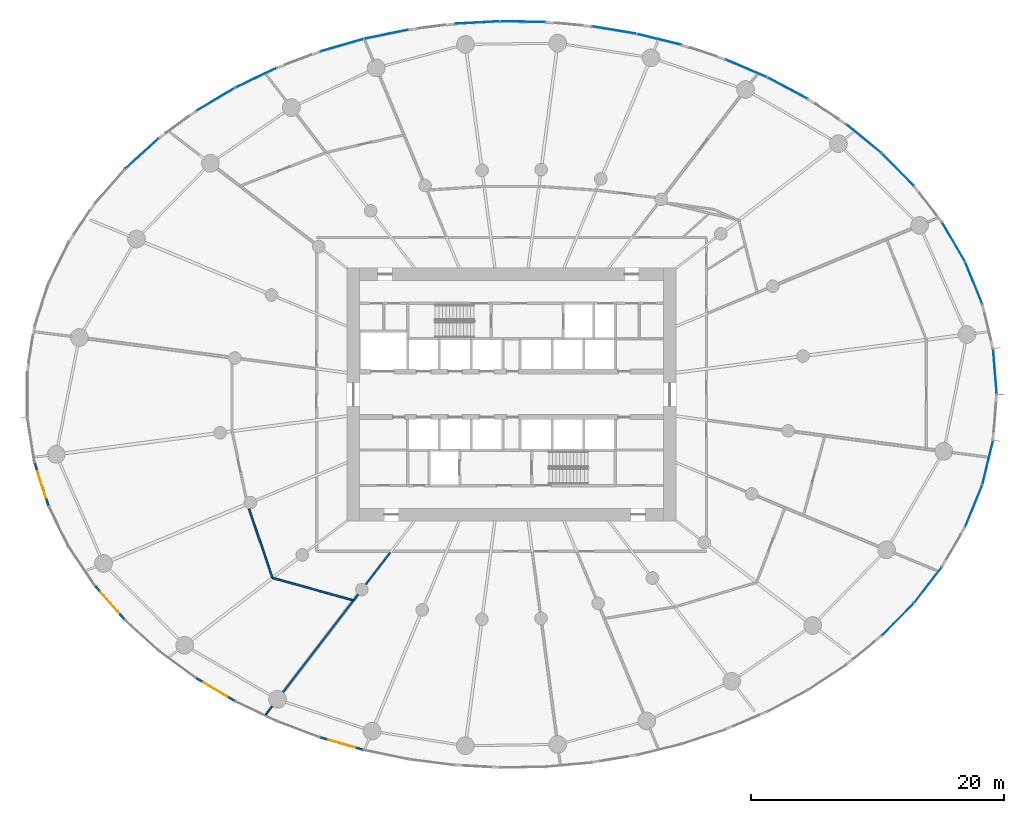
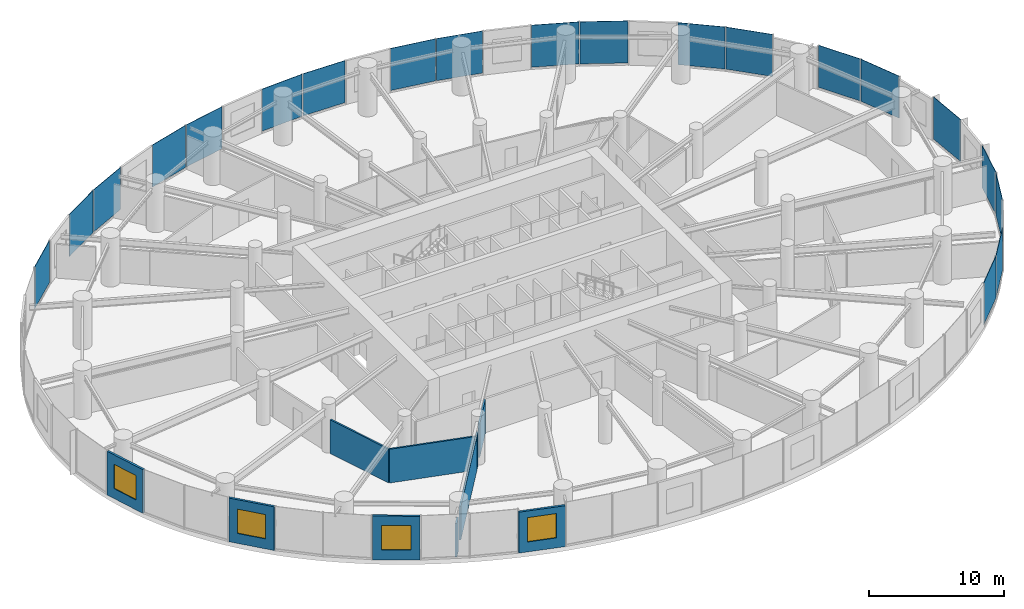
# One storey, part 10 of 19: 20 plates, 10 walls, 4 windows, 4 openings, 6 elements without a shape of their own.
"""IFC4 building model written with IfcOpenShell, lengths in metres."""

from ifc_helpers import new_model, si_unit, direction, frame, frame_2d, origin, origin_2d, place, context, subcontext, project, spatial, rectangle, extrude, source, transform, mapped, material, layer, layer_set, type_object, element, fill, aggregate, save


model = new_model("IFC4")

# Units and contexts
model_context = context("Model", 3, precision=1e-05, world=origin(), true_north=direction((0.0, 1.0)))
body_context = subcontext(model_context, "Body", "Model", "MODEL_VIEW")
ifc_project = project(units=[si_unit("LENGTHUNIT", "METRE"), si_unit("AREAUNIT", "SQUARE_METRE"), si_unit("VOLUMEUNIT", "CUBIC_METRE"), si_unit("PLANEANGLEUNIT", "RADIAN"), si_unit("MASSUNIT", "GRAM", prefix="KILO")], contexts=[model_context])

# Site, building, storey
site_placement = place(None, origin())
site = spatial("IfcSite", under=ifc_project, at=site_placement, CompositionType="ELEMENT")
building_placement = place(site_placement, origin())
building = spatial("IfcBuilding", under=site, at=building_placement, Name="Spindrift Exchange Tower", CompositionType="ELEMENT")
storey_placement = place(building_placement, frame((0.0, 0.0, 22.60009765625)))
storey = spatial("IfcBuildingStorey", under=building, at=storey_placement, Name="L05", CompositionType="ELEMENT", Elevation=22.60009765625)

# Curtain wall, plate
ifc_material_1 = material(Name="Fritted laminated glass with bronze frame", Category="glass")
ifc_layer_1 = layer(ifc_material_1, 0.199951171875)
ifc_layer_set_1 = layer_set([ifc_layer_1], Name="ZONE 1 BRONZE FRITTED WALL")
curtain_wall_type = type_object("IfcCurtainWallType", Name="ZONE 1 BRONZE FRITTED WALL", PredefinedType="NOTDEFINED", material=ifc_layer_set_1)
curtain_wall_1_placement = place(storey_placement, origin())
curtain_wall_1 = element("IfcCurtainWall", 1, at=curtain_wall_1_placement, inside=storey, type_object=curtain_wall_type, Name="L05 Zone 1 Bronze Fritted Wall run 1", PredefinedType="NOTDEFINED")
ifc_material_2 = material(Name="Bronze tinted laminated glass, light frit", Category="glass")
ifc_layer_2 = layer(ifc_material_2, 0.035888671875)
ifc_layer_set_2 = layer_set([ifc_layer_2], Name="ZONE 1 BRONZE FRITTED WALL PANEL LIGHT FRIT 1200")
plate_type_1 = type_object("IfcPlateType", Name="ZONE 1 BRONZE FRITTED WALL PANEL LIGHT FRIT 1200", PredefinedType="CURTAIN_PANEL", material=ifc_layer_set_2)
shared_shape_1 = source(origin(), body_context, "Body", "SweptSolid", [
    extrude(rectangle(XDim=3.54443359375, YDim=0.035888671875, at=origin_2d()), origin(), (0.0, 0.0, 1.0), 3.800048828125),
])
plate_1_placement = place(storey_placement, frame((90.20556640625, 49.806396484375, 0.14990234375), z_axis=(0.0, 0.0, 1.0), x_axis=(-0.079654383993, 0.996822541434, 0.0)))
plate_1 = element("IfcPlate", 2, at=plate_1_placement, type_object=plate_type_1, Name="L05 panel CW-1.1", PredefinedType="CURTAIN_PANEL", context=body_context, shape_type="MappedRepresentation", body=[
    mapped(shared_shape_1, transform((0.0, 0.0, 0.0), scale=1.0)),
])

curtain_wall_2_placement = place(storey_placement, origin())
curtain_wall_2 = element("IfcCurtainWall", 3, at=curtain_wall_2_placement, inside=storey, type_object=curtain_wall_type, Name="L05 Zone 1 Bronze Fritted Wall run 10", PredefinedType="NOTDEFINED")
plate_2_placement = place(storey_placement, frame((89.63623046875, 42.62548828125, 0.14990234375), z_axis=(0.0, 0.0, 1.0), x_axis=(0.234594141162, 0.972093405457, 0.0)))
plate_2 = element("IfcPlate", 4, at=plate_2_placement, type_object=plate_type_1, Name="L05 panel CW-1.58", PredefinedType="CURTAIN_PANEL", context=body_context, shape_type="MappedRepresentation", body=[
    mapped(shared_shape_1, transform((0.0, 0.0, 0.0), scale=1.0)),
])

# Plate
ifc_layer_3 = layer(ifc_material_2, 0.035888671875)
ifc_layer_set_3 = layer_set([ifc_layer_3], Name="ZONE 1 BRONZE FRITTED WALL PANEL LIGHT FRIT 720")
plate_type_2 = type_object("IfcPlateType", Name="ZONE 1 BRONZE FRITTED WALL PANEL LIGHT FRIT 720", PredefinedType="CURTAIN_PANEL", material=ifc_layer_set_3)
shared_shape_2 = source(origin(), body_context, "Body", "SweptSolid", [
    extrude(rectangle(XDim=3.544921875, YDim=0.035888671875, at=origin_2d()), origin(), (0.0, 0.0, 1.0), 3.800048828125),
])
plate_3_placement = place(storey_placement, frame((88.526611328125, 56.814697265625, 0.14990234375), z_axis=(0.0, 0.0, 1.0), x_axis=(-0.377650096823, 0.92594838105, 0.0)))
plate_3 = element("IfcPlate", 5, at=plate_3_placement, type_object=plate_type_2, Name="L05 panel CW-1.3", PredefinedType="CURTAIN_PANEL", context=body_context, shape_type="MappedRepresentation", body=[
    mapped(shared_shape_2, transform((0.0, 0.0, 0.0), scale=1.0)),
])

ifc_layer_4 = layer(ifc_material_2, 0.035888671875)
ifc_layer_set_4 = layer_set([ifc_layer_4], Name="ZONE 1 BRONZE FRITTED WALL PANEL LIGHT FRIT 960")
plate_type_3 = type_object("IfcPlateType", Name="ZONE 1 BRONZE FRITTED WALL PANEL LIGHT FRIT 960", PredefinedType="CURTAIN_PANEL", material=ifc_layer_set_4)
shared_shape_3 = source(origin(), body_context, "Body", "SweptSolid", [
    extrude(rectangle(XDim=3.54541015625, YDim=0.035888671875, at=origin_2d()), origin(), (0.0, 0.0, 1.0), 3.800048828125),
])
plate_4_placement = place(storey_placement, frame((86.928466796875, 60.05859375, 0.14990234375), z_axis=(0.0, 0.0, 1.0), x_axis=(-0.503942827286, 0.863737012538, 0.0)))
plate_4 = element("IfcPlate", 6, at=plate_4_placement, type_object=plate_type_3, Name="L05 panel CW-1.4", PredefinedType="CURTAIN_PANEL", context=body_context, shape_type="MappedRepresentation", body=[
    mapped(shared_shape_3, transform((0.0, 0.0, 0.0), scale=1.0)),
])

shared_shape_4 = source(origin(), body_context, "Body", "SweptSolid", [
    extrude(rectangle(XDim=3.546142578125, YDim=0.035888671875, at=origin_2d()), origin(), (0.0, 0.0, 1.0), 3.800048828125),
])
plate_5_placement = place(storey_placement, frame((82.524658203125, 65.784423828125, 0.14990234375), z_axis=(0.0, 0.0, 1.0), x_axis=(-0.701611023881, 0.712560152667, 0.0)))
plate_5 = element("IfcPlate", 7, at=plate_5_placement, type_object=plate_type_3, Name="L05 panel CW-1.6", PredefinedType="CURTAIN_PANEL", context=body_context, shape_type="MappedRepresentation", body=[
    mapped(shared_shape_4, transform((0.0, 0.0, 0.0), scale=1.0)),
])

aggregate(curtain_wall_1, [plate_1, plate_3, plate_4, plate_5])

# Curtain wall, plate
curtain_wall_3_placement = place(storey_placement, origin())
curtain_wall_3 = element("IfcCurtainWall", 8, at=curtain_wall_3_placement, inside=storey, type_object=curtain_wall_type, Name="L05 Zone 1 Bronze Fritted Wall run 9", PredefinedType="NOTDEFINED")
plate_6_placement = place(storey_placement, frame((82.524658203125, 30.215576171875, 0.14990234375), z_axis=(0.0, 0.0, 1.0), x_axis=(0.701611023881, 0.712560152667, 0.0)))
plate_6 = element("IfcPlate", 9, at=plate_6_placement, type_object=plate_type_3, Name="L05 panel CW-1.54", PredefinedType="CURTAIN_PANEL", context=body_context, shape_type="MappedRepresentation", body=[
    mapped(shared_shape_4, transform((0.0, 0.0, 0.0), scale=1.0)),
])
aggregate(curtain_wall_3, [plate_6])

# Curtain wall, plates
curtain_wall_4_placement = place(storey_placement, origin())
curtain_wall_4 = element("IfcCurtainWall", 10, at=curtain_wall_4_placement, inside=storey, type_object=curtain_wall_type, Name="L05 Zone 1 Bronze Fritted Wall run 2", PredefinedType="NOTDEFINED")
shared_shape_5 = source(origin(), body_context, "Body", "SweptSolid", [
    extrude(rectangle(XDim=3.54638671875, YDim=0.035888671875, at=origin_2d()), origin(), (0.0, 0.0, 1.0), 3.800048828125),
])
plate_7_placement = place(storey_placement, frame((79.846923828125, 68.2216796875, 0.14990234375), z_axis=(0.0, 0.0, 1.0), x_axis=(-0.775231214705, 0.631677578949, 0.0)))
plate_7 = element("IfcPlate", 11, at=plate_7_placement, type_object=plate_type_2, Name="L05 panel CW-1.7", PredefinedType="CURTAIN_PANEL", context=body_context, shape_type="MappedRepresentation", body=[
    mapped(shared_shape_5, transform((0.0, 0.0, 0.0), scale=1.0)),
])
shared_shape_6 = source(origin(), body_context, "Body", "SweptSolid", [
    extrude(rectangle(XDim=3.546875, YDim=0.035888671875, at=origin_2d()), origin(), (0.0, 0.0, 1.0), 3.800048828125),
])
plate_8_placement = place(storey_placement, frame((73.813232421875, 72.216796875, 0.14990234375), z_axis=(0.0, 0.0, 1.0), x_axis=(-0.88248339165, 0.470343558967, 0.0)))
plate_8 = element("IfcPlate", 12, at=plate_8_placement, type_object=plate_type_3, Name="L05 panel CW-1.9", PredefinedType="CURTAIN_PANEL", context=body_context, shape_type="MappedRepresentation", body=[
    mapped(shared_shape_6, transform((0.0, 0.0, 0.0), scale=1.0)),
])
shared_shape_7 = source(origin(), body_context, "Body", "SweptSolid", [
    extrude(rectangle(XDim=3.547119140625, YDim=0.035888671875, at=origin_2d()), origin(), (0.0, 0.0, 1.0), 3.800048828125),
])
plate_9_placement = place(storey_placement, frame((70.544189453125, 73.780029296875, 0.14990234375), z_axis=(0.0, 0.0, 1.0), x_axis=(-0.920121835815, 0.3916322347, 0.0)))
plate_9 = element("IfcPlate", 13, at=plate_9_placement, type_object=plate_type_2, Name="L05 panel CW-1.10", PredefinedType="CURTAIN_PANEL", context=body_context, shape_type="MappedRepresentation", body=[
    mapped(shared_shape_7, transform((0.0, 0.0, 0.0), scale=1.0)),
])

# Curtain wall, plate
curtain_wall_5_placement = place(storey_placement, origin())
curtain_wall_5 = element("IfcCurtainWall", 14, at=curtain_wall_5_placement, inside=storey, type_object=curtain_wall_type, Name="L05 Zone 1 Bronze Fritted Wall run 4", PredefinedType="NOTDEFINED")
plate_10_placement = place(storey_placement, frame((31.80419921875, 73.0341796875, 0.14990234375), z_axis=(0.0, 0.0, 1.0), x_axis=(-0.902455253843, -0.43078360555, 0.0)))
plate_10 = element("IfcPlate", 15, at=plate_10_placement, type_object=plate_type_2, Name="L05 panel CW-1.21", PredefinedType="CURTAIN_PANEL", context=body_context, shape_type="MappedRepresentation", body=[
    mapped(shared_shape_7, transform((0.0, 0.0, 0.0), scale=1.0)),
])

# Plate
shared_shape_8 = source(origin(), body_context, "Body", "SweptSolid", [
    extrude(rectangle(XDim=3.54736328125, YDim=0.035888671875, at=origin_2d()), origin(), (0.0, 0.0, 1.0), 3.800048828125),
])
plate_11_placement = place(storey_placement, frame((63.671142578125, 76.064697265625, 0.14990234375), z_axis=(0.0, 0.0, 1.0), x_axis=(-0.971034278054, 0.238940224416, 0.0)))
plate_11 = element("IfcPlate", 16, at=plate_11_placement, type_object=plate_type_3, Name="L05 panel CW-1.12", PredefinedType="CURTAIN_PANEL", context=body_context, shape_type="MappedRepresentation", body=[
    mapped(shared_shape_8, transform((0.0, 0.0, 0.0), scale=1.0)),
])

aggregate(curtain_wall_4, [plate_7, plate_8, plate_9, plate_11])

# Curtain wall, plates
curtain_wall_6_placement = place(storey_placement, origin())
curtain_wall_6 = element("IfcCurtainWall", 17, at=curtain_wall_6_placement, inside=storey, type_object=curtain_wall_type, Name="L05 Zone 1 Bronze Fritted Wall run 3", PredefinedType="NOTDEFINED")
shared_shape_9 = source(origin(), body_context, "Body", "SweptSolid", [
    extrude(rectangle(XDim=3.54736328125, YDim=0.035888671875, at=origin_2d()), origin(), (0.0, 0.0, 1.0), 3.800048828125),
])
plate_12_placement = place(storey_placement, frame((60.12109375, 76.79638671875, 0.14990234375), z_axis=(0.0, 0.0, 1.0), x_axis=(-0.98635895977, 0.164608634286, 0.0)))
plate_12 = element("IfcPlate", 18, at=plate_12_placement, type_object=plate_type_1, Name="L05 panel CW-1.13", PredefinedType="CURTAIN_PANEL", context=body_context, shape_type="MappedRepresentation", body=[
    mapped(shared_shape_9, transform((0.0, 0.0, 0.0), scale=1.0)),
])
plate_13_placement = place(storey_placement, frame((52.906494140625, 77.458740234375, 0.14990234375), z_axis=(0.0, 0.0, 1.0), x_axis=(-0.999834474509, 0.018194053526, 0.0)))
plate_13 = element("IfcPlate", 19, at=plate_13_placement, type_object=plate_type_1, Name="L05 panel CW-1.15", PredefinedType="CURTAIN_PANEL", context=body_context, shape_type="MappedRepresentation", body=[
    mapped(shared_shape_9, transform((0.0, 0.0, 0.0), scale=1.0)),
])
plate_14_placement = place(storey_placement, frame((49.281982421875, 77.392578125, 0.14990234375), z_axis=(0.0, 0.0, 1.0), x_axis=(-0.998507646008, -0.054612094476, 0.0)))
plate_14 = element("IfcPlate", 20, at=plate_14_placement, type_object=plate_type_1, Name="L05 panel CW-1.16", PredefinedType="CURTAIN_PANEL", context=body_context, shape_type="MappedRepresentation", body=[
    mapped(shared_shape_9, transform((0.0, 0.0, 0.0), scale=1.0)),
])
plate_15_placement = place(storey_placement, frame((42.096923828125, 76.46435546875, 0.14990234375), z_axis=(0.0, 0.0, 1.0), x_axis=(-0.979461386098, -0.20163182572, 0.0)))
plate_15 = element("IfcPlate", 21, at=plate_15_placement, type_object=plate_type_1, Name="L05 panel CW-1.18", PredefinedType="CURTAIN_PANEL", context=body_context, shape_type="MappedRepresentation", body=[
    mapped(shared_shape_9, transform((0.0, 0.0, 0.0), scale=1.0)),
])
aggregate(curtain_wall_6, [plate_12, plate_13, plate_14, plate_15])

# Plate
plate_16_placement = place(storey_placement, frame((38.57763671875, 75.596923828125, 0.14990234375), z_axis=(0.0, 0.0, 1.0), x_axis=(-0.961001004302, -0.276544878332, 0.0)))
plate_16 = element("IfcPlate", 22, at=plate_16_placement, type_object=plate_type_1, Name="L05 panel CW-1.19", PredefinedType="CURTAIN_PANEL", context=body_context, shape_type="MappedRepresentation", body=[
    mapped(shared_shape_9, transform((0.0, 0.0, 0.0), scale=1.0)),
])

shared_shape_10 = source(origin(), body_context, "Body", "SweptSolid", [
    extrude(rectangle(XDim=3.546875, YDim=0.035888671875, at=origin_2d()), origin(), (0.0, 0.0, 1.0), 3.800048828125),
])
plate_17_placement = place(storey_placement, frame((28.60791015625, 71.32763671875, 0.14990234375), z_axis=(0.0, 0.0, 1.0), x_axis=(-0.859995699192, -0.510301280982, 0.0)))
plate_17 = element("IfcPlate", 23, at=plate_17_placement, type_object=plate_type_1, Name="L05 panel CW-1.22", PredefinedType="CURTAIN_PANEL", context=body_context, shape_type="MappedRepresentation", body=[
    mapped(shared_shape_10, transform((0.0, 0.0, 0.0), scale=1.0)),
])

shared_shape_11 = source(origin(), body_context, "Body", "SweptSolid", [
    extrude(rectangle(XDim=3.54638671875, YDim=0.035888671875, at=origin_2d()), origin(), (0.0, 0.0, 1.0), 3.800048828125),
])
plate_18_placement = place(storey_placement, frame((22.78076171875, 67.039794921875, 0.14990234375), z_axis=(0.0, 0.0, 1.0), x_axis=(-0.740315520341, -0.672259570659, 0.0)))
plate_18 = element("IfcPlate", 24, at=plate_18_placement, type_object=plate_type_1, Name="L05 panel CW-1.24", PredefinedType="CURTAIN_PANEL", context=body_context, shape_type="MappedRepresentation", body=[
    mapped(shared_shape_11, transform((0.0, 0.0, 0.0), scale=1.0)),
])

aggregate(curtain_wall_5, [plate_16, plate_10, plate_17, plate_18])

shared_shape_12 = source(origin(), body_context, "Body", "SweptSolid", [
    extrude(rectangle(XDim=3.5458984375, YDim=0.035888671875, at=origin_2d()), origin(), (0.0, 0.0, 1.0), 3.800048828125),
])
plate_19_placement = place(storey_placement, frame((84.906005859375, 32.941650390625, 0.14990234375), z_axis=(0.0, 0.0, 1.0), x_axis=(0.611768677134, 0.791036715759, 0.0)))
plate_19 = element("IfcPlate", 25, at=plate_19_placement, type_object=plate_type_1, Name="L05 panel CW-1.55", PredefinedType="CURTAIN_PANEL", context=body_context, shape_type="MappedRepresentation", body=[
    mapped(shared_shape_12, transform((0.0, 0.0, 0.0), scale=1.0)),
])

shared_shape_13 = source(origin(), body_context, "Body", "SweptSolid", [
    extrude(rectangle(XDim=3.544921875, YDim=0.035888671875, at=origin_2d()), origin(), (0.0, 0.0, 1.0), 3.800048828125),
])
plate_20_placement = place(storey_placement, frame((88.526611328125, 39.185302734375, 0.14990234375), z_axis=(0.0, 0.0, 1.0), x_axis=(0.377650096823, 0.92594838105, 0.0)))
plate_20 = element("IfcPlate", 26, at=plate_20_placement, type_object=plate_type_3, Name="L05 panel CW-1.57", PredefinedType="CURTAIN_PANEL", context=body_context, shape_type="MappedRepresentation", body=[
    mapped(shared_shape_13, transform((0.0, 0.0, 0.0), scale=1.0)),
])

aggregate(curtain_wall_2, [plate_19, plate_20, plate_2])

# Wall, opening, window
ifc_material_3 = material(Name="Bronze anodised aluminium frame with fritted laminated glass spandrel", Category="aluminium")
ifc_layer_5 = layer(ifc_material_3, 0.179931640625)
ifc_layer_set_5 = layer_set([ifc_layer_5], Name="UNITISED FRAME WALL")
wall_type_1 = type_object("IfcWallType", Name="UNITISED FRAME WALL", PredefinedType="STANDARD", material=ifc_layer_set_5)
wall_1_placement = place(storey_placement, frame((14.30810546875, 42.57080078125, 0.0), z_axis=(0.0, 0.0, 1.0), x_axis=(0.308012829469, -0.951382203367, 0.0)))
wall_1 = element("IfcWall", 27, at=wall_1_placement, inside=storey, type_object=wall_type_1, Name="L05 Frame Wall 32", PredefinedType="STANDARD", context=body_context, shape_type="SweptSolid", body=[
    extrude(rectangle(XDim=3.544677734375, YDim=0.179931640625, at=frame_2d((1.7724609375, 0.0))), origin(), (0.0, 0.0, 1.0), 3.949951171875),
])
opening_1_placement = place(wall_1_placement, frame((0.67236328125, 0.0, 0.89990234375)))
opening_1 = element("IfcOpeningElement", 28, at=opening_1_placement, cuts=wall_1, Name="Opening WV05-11", PredefinedType="OPENING", context=body_context, shape_type="SweptSolid", body=[
    extrude(rectangle(XDim=2.199951171875, YDim=2.199951171875, at=frame_2d((1.10009765625, 1.10009765625))), frame((0.0, 0.099853515625, 0.0), z_axis=(0.0, -1.0, 0.0), x_axis=(1.0, 0.0, 0.0)), (0.0, 0.0, 1.0), 0.199951171875),
])
ifc_material_4 = material(Name="Clear laminated low-iron glass in bronze frame", Category="glass")
window_type = type_object("IfcWindowType", Name="OPERABLE CLEAR VENT 2200X2200", PartitioningType="SINGLE_PANEL", PredefinedType="WINDOW", material=ifc_material_4)
shared_shape_14 = source(origin(), body_context, "Body", "SweptSolid", [
    extrude(rectangle(XDim=2.199951171875, YDim=2.199951171875, at=frame_2d((1.10009765625, 1.10009765625))), frame((0.0, 0.030029296875, 0.0), z_axis=(0.0, -1.0, 0.0), x_axis=(1.0, 0.0, 0.0)), (0.0, 0.0, 1.0), 0.06005859375),
])
window_1_placement = place(opening_1_placement, origin())
window_1 = element("IfcWindow", 29, at=window_1_placement, inside=storey, type_object=window_type, Name="L05 Operable Vent WV05-11", OverallHeight=2.199951171875, OverallWidth=2.199951171875, PartitioningType="SINGLE_PANEL", PredefinedType="WINDOW", context=body_context, shape_type="MappedRepresentation", body=[
    mapped(shared_shape_14, transform((0.0, 0.0, 0.0), scale=1.0)),
])
fill(opening_1, window_1)

wall_2_placement = place(storey_placement, frame((19.07568359375, 32.876953125, 0.0), z_axis=(0.0, 0.0, 1.0), x_axis=(0.658850593066, -0.752273817182, 0.0)))
wall_2 = element("IfcWall", 30, at=wall_2_placement, inside=storey, type_object=wall_type_1, Name="L05 Frame Wall 35", PredefinedType="STANDARD", context=body_context, shape_type="SweptSolid", body=[
    extrude(rectangle(XDim=3.546142578125, YDim=0.179931640625, at=frame_2d((1.77294921875, 0.0))), origin(), (0.0, 0.0, 1.0), 3.949951171875),
])
opening_2_placement = place(wall_2_placement, frame((0.673095703125, 0.0, 0.89990234375)))
opening_2 = element("IfcOpeningElement", 31, at=opening_2_placement, cuts=wall_2, Name="Opening WV05-12", PredefinedType="OPENING", context=body_context, shape_type="SweptSolid", body=[
    extrude(rectangle(XDim=2.199951171875, YDim=2.199951171875, at=frame_2d((1.10009765625, 1.10009765625))), frame((0.0, 0.099853515625, 0.0), z_axis=(0.0, -1.0, 0.0), x_axis=(1.0, 0.0, 0.0)), (0.0, 0.0, 1.0), 0.199951171875),
])
window_2_placement = place(opening_2_placement, origin())
window_2 = element("IfcWindow", 32, at=window_2_placement, inside=storey, type_object=window_type, Name="L05 Operable Vent WV05-12", OverallHeight=2.199951171875, OverallWidth=2.199951171875, PartitioningType="SINGLE_PANEL", PredefinedType="WINDOW", context=body_context, shape_type="MappedRepresentation", body=[
    mapped(shared_shape_14, transform((0.0, 0.0, 0.0), scale=1.0)),
])
fill(opening_2, window_2)

wall_3_placement = place(storey_placement, frame((27.0830078125, 25.577392578125, 0.0), z_axis=(0.0, 0.0, 1.0), x_axis=(0.859985024199, -0.510319270803, 0.0)))
wall_3 = element("IfcWall", 33, at=wall_3_placement, inside=storey, type_object=wall_type_1, Name="L05 Frame Wall 38", PredefinedType="STANDARD", context=body_context, shape_type="SweptSolid", body=[
    extrude(rectangle(XDim=3.546875, YDim=0.179931640625, at=frame_2d((1.7734375, 0.0))), origin(), (0.0, 0.0, 1.0), 3.949951171875),
])
opening_3_placement = place(wall_3_placement, frame((0.67333984375, 0.0, 0.89990234375)))
opening_3 = element("IfcOpeningElement", 34, at=opening_3_placement, cuts=wall_3, Name="Opening WV05-13", PredefinedType="OPENING", context=body_context, shape_type="SweptSolid", body=[
    extrude(rectangle(XDim=2.199951171875, YDim=2.199951171875, at=frame_2d((1.10009765625, 1.10009765625))), frame((0.0, 0.099853515625, 0.0), z_axis=(0.0, -1.0, 0.0), x_axis=(1.0, 0.0, 0.0)), (0.0, 0.0, 1.0), 0.199951171875),
])
window_3_placement = place(opening_3_placement, origin())
window_3 = element("IfcWindow", 35, at=window_3_placement, inside=storey, type_object=window_type, Name="L05 Operable Vent WV05-13", OverallHeight=2.199951171875, OverallWidth=2.199951171875, PartitioningType="SINGLE_PANEL", PredefinedType="WINDOW", context=body_context, shape_type="MappedRepresentation", body=[
    mapped(shared_shape_14, transform((0.0, 0.0, 0.0), scale=1.0)),
])
fill(opening_3, window_3)

ifc_layer_6 = layer(ifc_material_3, 0.179931640625)
ifc_layer_set_6 = layer_set([ifc_layer_6], Name="UNITISED FRAME WALL TO BEAM SOFFIT")
wall_type_2 = type_object("IfcWallType", Name="UNITISED FRAME WALL TO BEAM SOFFIT", PredefinedType="STANDARD", material=ifc_layer_set_6)
wall_4_placement = place(storey_placement, frame((36.873046875, 20.893310546875, 0.0), z_axis=(0.0, 0.0, 1.0), x_axis=(0.961021084102, -0.276475090943, 0.0)))
wall_4 = element("IfcWall", 36, at=wall_4_placement, inside=storey, type_object=wall_type_2, Name="L05 Frame Wall 41", PredefinedType="STANDARD", context=body_context, shape_type="SweptSolid", body=[
    extrude(rectangle(XDim=3.547119140625, YDim=0.179931640625, at=frame_2d((1.7734375, 0.0))), origin(), (0.0, 0.0, 1.0), 3.697998046875),
])
opening_4_placement = place(wall_4_placement, frame((0.673583984375, 0.0, 0.89990234375)))
opening_4 = element("IfcOpeningElement", 37, at=opening_4_placement, cuts=wall_4, Name="Opening WV05-14", PredefinedType="OPENING", context=body_context, shape_type="SweptSolid", body=[
    extrude(rectangle(XDim=2.199951171875, YDim=2.199951171875, at=frame_2d((1.10009765625, 1.10009765625))), frame((0.0, 0.099853515625, 0.0), z_axis=(0.0, -1.0, 0.0), x_axis=(1.0, 0.0, 0.0)), (0.0, 0.0, 1.0), 0.199951171875),
])
window_4_placement = place(opening_4_placement, origin())
window_4 = element("IfcWindow", 38, at=window_4_placement, inside=storey, type_object=window_type, Name="L05 Operable Vent WV05-14", OverallHeight=2.199951171875, OverallWidth=2.199951171875, PartitioningType="SINGLE_PANEL", PredefinedType="WINDOW", context=body_context, shape_type="MappedRepresentation", body=[
    mapped(shared_shape_14, transform((0.0, 0.0, 0.0), scale=1.0)),
])
fill(opening_4, window_4)

# Walls
ifc_material_5 = material(Name="Fire-rated plasterboard partition", Category="gypsum")
ifc_layer_7 = layer(ifc_material_5, 0.139892578125)
ifc_layer_set_7 = layer_set([ifc_layer_7], Name="W-PART-140")
wall_type_3 = type_object("IfcWallType", Name="W-PART-140", PredefinedType="PARTITIONING", material=ifc_layer_set_7)
wall_5_placement = place(storey_placement, frame((39.51220703125, 31.7255859375, 0.0), z_axis=(0.0, 0.0, 1.0), x_axis=(-0.608766118587, -0.793349741829, 0.0)))
element("IfcWall", 39, at=wall_5_placement, inside=storey, type_object=wall_type_3, Name="L05 Partition wall 68", PredefinedType="PARTITIONING", context=body_context, shape_type="SweptSolid", body=[
    extrude(rectangle(XDim=9.159423828125, YDim=0.139892578125, at=frame_2d((4.57958984375, 0.0))), origin(), (0.0, 0.0, 1.0), 3.0498046875),
])
wall_6_placement = place(storey_placement, frame((33.0791015625, 23.341552734375, 0.0), z_axis=(0.0, 0.0, 1.0), x_axis=(-0.608939798959, -0.793216440351, 0.0)))
element("IfcWall", 40, at=wall_6_placement, inside=storey, type_object=wall_type_3, Name="L05 Partition wall 124", PredefinedType="PARTITIONING", context=body_context, shape_type="SweptSolid", body=[
    extrude(rectangle(XDim=0.82666015625, YDim=0.139892578125, at=frame_2d((0.413330078125, 0.0))), origin(), (0.0, 0.0, 1.0), 3.0498046875),
])
ifc_layer_8 = layer(ifc_material_5, 0.139892578125)
ifc_layer_set_8 = layer_set([ifc_layer_8], Name="W-PLANT-140")
wall_type_4 = type_object("IfcWallType", Name="W-PLANT-140", PredefinedType="PARTITIONING", material=ifc_layer_set_8)
wall_7_placement = place(storey_placement, frame((33.10205078125, 33.4990234375, 0.0), z_axis=(0.0, 0.0, 1.0), x_axis=(0.963800361675, -0.266624947885, 0.0)))
element("IfcWall", 41, at=wall_7_placement, inside=storey, type_object=wall_type_4, Name="L05 Partition wall 77", PredefinedType="PARTITIONING", context=body_context, shape_type="SweptSolid", body=[
    extrude(rectangle(XDim=6.575439453125, YDim=0.139892578125, at=frame_2d((3.28759765625, 0.0))), origin(), (0.0, 0.0, 1.0), 3.0498046875),
])
wall_8_placement = place(storey_placement, frame((31.25537109375, 38.957275390625, 0.0), z_axis=(0.0, 0.0, 1.0), x_axis=(0.320466828711, -0.947259738243, 0.0)))
element("IfcWall", 42, at=wall_8_placement, inside=storey, type_object=wall_type_4, Name="L05 Partition wall 86", PredefinedType="PARTITIONING", context=body_context, shape_type="SweptSolid", body=[
    extrude(rectangle(XDim=5.73193359375, YDim=0.139892578125, at=frame_2d((2.865966796875, 0.0))), origin(), (0.0, 0.0, 1.0), 3.0498046875),
])
wall_9_placement = place(storey_placement, frame((42.416015625, 35.510009765625, 0.0), z_axis=(0.0, 0.0, 1.0), x_axis=(-0.60874605662, -0.793365135703, 0.0)))
element("IfcWall", 43, at=wall_9_placement, inside=storey, type_object=wall_type_4, Name="L05 Partition wall 106", PredefinedType="PARTITIONING", context=body_context, shape_type="SweptSolid", body=[
    extrude(rectangle(XDim=3.193603515625, YDim=0.139892578125, at=frame_2d((1.5966796875, 0.0))), origin(), (0.0, 0.0, 1.0), 3.0498046875),
])
wall_10_placement = place(storey_placement, frame((39.85791015625, 32.176025390625, 0.0), z_axis=(0.0, 0.0, 1.0), x_axis=(-0.608898529008, -0.793248120938, 0.0)))
element("IfcWall", 44, at=wall_10_placement, inside=storey, type_object=wall_type_4, Name="L05 Partition wall 129", PredefinedType="PARTITIONING", context=body_context, shape_type="SweptSolid", body=[
    extrude(rectangle(XDim=0.53759765625, YDim=0.139892578125, at=frame_2d((0.268798828125, 0.0))), origin(), (0.0, 0.0, 1.0), 3.0498046875),
])

save(model, "model.ifc")
